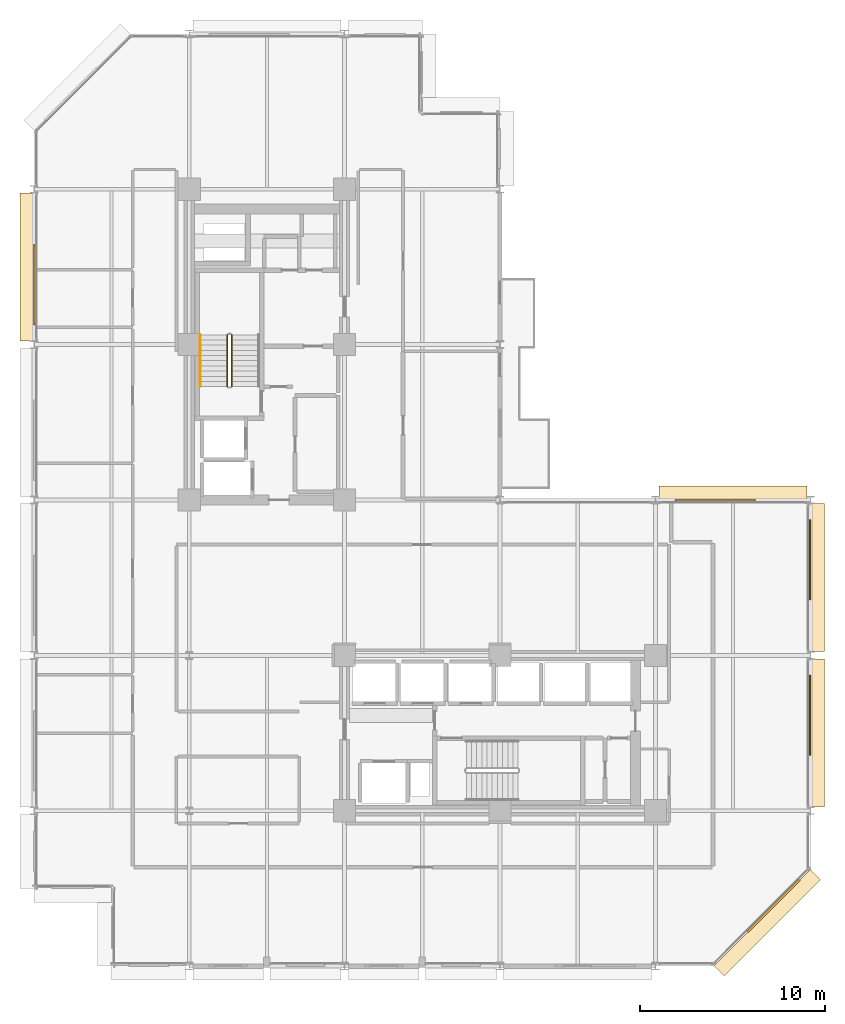
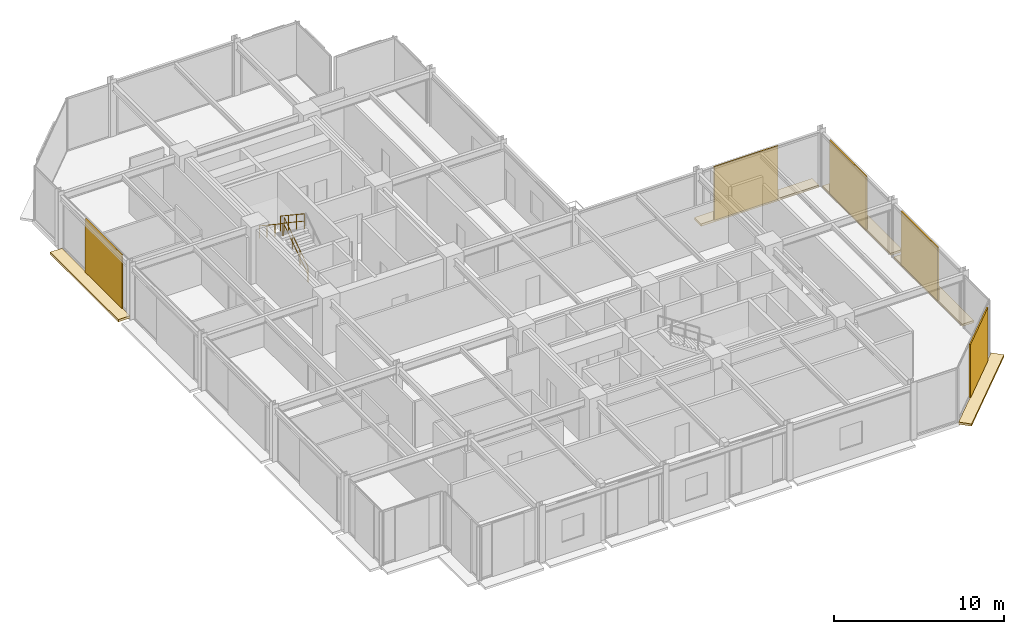
# One storey, part 29 of 30: 10 coverings, 3 railings.
"""IFC4 building model written with IfcOpenShell, lengths in metres."""

from ifc_helpers import new_model, si_unit, direction, frame, origin, origin_2d, place, context, subcontext, project, spatial, polyline, rectangle, circle, outline, extrude, material, layer, layer_set, type_object, element, save


model = new_model("IFC4")

# Units and contexts
model_context = context("Model", 3, precision=1e-05, world=origin(), true_north=direction((0.0, 1.0)))
body_context = subcontext(model_context, "Body", "Model", "MODEL_VIEW")
ifc_project = project(units=[si_unit("LENGTHUNIT", "METRE"), si_unit("AREAUNIT", "SQUARE_METRE"), si_unit("VOLUMEUNIT", "CUBIC_METRE"), si_unit("PLANEANGLEUNIT", "RADIAN"), si_unit("MASSUNIT", "GRAM", prefix="KILO")], contexts=[model_context])

# Site, building, storey
site_placement = place(None, origin())
site = spatial("IfcSite", under=ifc_project, at=site_placement, CompositionType="ELEMENT")
building_placement = place(site_placement, origin())
building = spatial("IfcBuilding", under=site, at=building_placement, Name="Nerrivon Quay Data Exchange", CompositionType="ELEMENT")
storey_placement = place(building_placement, frame((0.0, 0.0, 129.5)))
storey = spatial("IfcBuildingStorey", under=building, at=storey_placement, Name="L30", CompositionType="ELEMENT", Elevation=129.5)

# Coverings
ifc_material_1 = material(Name="Architectural terracotta ceramic", Category="masonry")
ifc_layer_1 = layer(ifc_material_1, 0.159912109375)
ifc_layer_set_1 = layer_set([ifc_layer_1], Name="Architectural terracotta ceramic")
covering_type_1 = type_object("IfcCoveringType", Name="COV-BLD-TERR", PredefinedType="CLADDING", material=ifc_layer_set_1)
covering_1_placement = place(storey_placement, frame((0.0, 0.0, -0.159912109375)))
element("IfcCovering", 1, at=covering_1_placement, inside=storey, type_object=covering_type_1, Name="L30 Horizontal Terracotta SOLAR SCREEN Blade", PredefinedType="CLADDING", context=body_context, shape_type="SweptSolid", body=[
    extrude(outline(polyline([(41.9716796875, 5.228271484375), (36.771728515625, 0.0283203125), (37.330322265625, -0.5302734375), (42.5302734375, 4.669677734375), (41.9716796875, 5.228271484375)])), origin(), (0.0, 0.0, 1.0), 0.159912109375),
])
covering_2_placement = place(storey_placement, frame((0.0, 0.0, -0.159912109375)))
element("IfcCovering", 2, at=covering_2_placement, inside=storey, type_object=covering_type_1, Name="L30 Horizontal Terracotta SOLAR SCREEN Blade", PredefinedType="CLADDING", context=body_context, shape_type="SweptSolid", body=[
    extrude(outline(polyline([(0.0400390625, 33.800048828125), (0.0400390625, 41.800048828125), (-0.75, 41.800048828125), (-0.75, 33.800048828125), (0.0400390625, 33.800048828125)])), origin(), (0.0, 0.0, 1.0), 0.159912109375),
])
covering_3_placement = place(storey_placement, frame((0.0, 0.0, -0.159912109375)))
element("IfcCovering", 3, at=covering_3_placement, inside=storey, type_object=covering_type_1, Name="L30 Horizontal Terracotta SOLAR SCREEN Blade", PredefinedType="CLADDING", context=body_context, shape_type="SweptSolid", body=[
    extrude(outline(polyline([(33.800048828125, 25.159912109375), (41.800048828125, 25.159912109375), (41.800048828125, 25.949951171875), (33.800048828125, 25.949951171875), (33.800048828125, 25.159912109375)])), origin(), (0.0, 0.0, 1.0), 0.159912109375),
])
covering_4_placement = place(storey_placement, frame((0.0, 0.0, -0.159912109375)))
element("IfcCovering", 4, at=covering_4_placement, inside=storey, type_object=covering_type_1, Name="L30 Horizontal Terracotta SOLAR SCREEN Blade", PredefinedType="CLADDING", context=body_context, shape_type="SweptSolid", body=[
    extrude(outline(polyline([(41.9599609375, 25.0), (41.9599609375, 17.0), (42.75, 17.0), (42.75, 25.0), (41.9599609375, 25.0)])), origin(), (0.0, 0.0, 1.0), 0.159912109375),
])
covering_5_placement = place(storey_placement, frame((0.0, 0.0, -0.159912109375)))
element("IfcCovering", 5, at=covering_5_placement, inside=storey, type_object=covering_type_1, Name="L30 Horizontal Terracotta SOLAR SCREEN Blade", PredefinedType="CLADDING", context=body_context, shape_type="SweptSolid", body=[
    extrude(outline(polyline([(41.9599609375, 16.60009765625), (41.9599609375, 8.60009765625), (42.75, 8.60009765625), (42.75, 16.60009765625), (41.9599609375, 16.60009765625)])), origin(), (0.0, 0.0, 1.0), 0.159912109375),
])
ifc_layer_2 = layer(ifc_material_1, 0.090087890625)
ifc_layer_set_2 = layer_set([ifc_layer_2], Name="Architectural terracotta ceramic")
covering_type_2 = type_object("IfcCoveringType", Name="COV-SCR-TERR", PredefinedType="CLADDING", material=ifc_layer_set_2)
covering_6_placement = place(storey_placement, frame((39.9921875, 3.255859375, 0.0), z_axis=(0.0, 0.0, 1.0), x_axis=(-0.707106781187, -0.707106781187, 0.0)))
element("IfcCovering", 6, at=covering_6_placement, inside=storey, type_object=covering_type_2, Name="L30 Perforated Terracotta SOLAR SCREEN Cassette", PredefinedType="CLADDING", context=body_context, shape_type="SweptSolid", body=[
    extrude(rectangle(XDim=3.970947265625, YDim=0.090087890625, at=origin_2d()), origin(), (0.0, 0.0, 1.0), 3.824951171875),
])
for number, where, z_axis, x_axis, name in (
    (7, (0.044921875, 36.840087890625, 0.0), (0.0, 0.0, 1.0), (0.0, 1.0, 0.0), "L30 Perforated Terracotta SOLAR SCREEN Cassette"),
    (8, (36.840087890625, 25.155029296875, 0.0), (0.0, 0.0, 1.0), (1.0, 0.0, 0.0), "L30 Perforated Terracotta SOLAR SCREEN Cassette"),
    (9, (41.955078125, 21.9599609375, 0.0), (0.0, 0.0, 1.0), (0.0, -1.0, 0.0), "L30 Perforated Terracotta SOLAR SCREEN Cassette"),
    (10, (41.955078125, 13.56005859375, 0.0), (0.0, 0.0, 1.0), (0.0, -1.0, 0.0), "L30 Perforated Terracotta SOLAR SCREEN Cassette"),
):
    element("IfcCovering", number, at=place(storey_placement, frame(where, z_axis=z_axis, x_axis=x_axis)), inside=storey, type_object=covering_type_2, Name=name, PredefinedType="CLADDING", context=body_context, shape_type="SweptSolid", body=[
        extrude(rectangle(XDim=4.320068359375, YDim=0.090087890625, at=origin_2d()), origin(), (0.0, 0.0, 1.0), 3.824951171875),
    ])

# Railings
ifc_material_2 = material(Name="Steel Grade C350L0 (350 MPa)", Category="steel")
railing_type_1 = type_object("IfcRailingType", Name="RAIL-HAND-HR1", PredefinedType="HANDRAIL", material=ifc_material_2)
railing_1_placement = place(storey_placement, frame((9.0, 34.1298828125, 2.236328125)))
element("IfcRailing", 11, at=railing_1_placement, inside=storey, type_object=railing_type_1, Name="L30 ST01 stair handrail 2", PredefinedType="HANDRAIL", context=body_context, shape_type="SweptSolid", body=[
    extrude(circle(Radius=0.02392578125, at=origin_2d()), frame((0.0, 0.0, 0.8759765625), z_axis=(0.0, -0.832429786209, 0.554130536094), x_axis=(1.0, 0.0, 0.0)), (0.0, 0.0, 1.0), 3.363525390625),
    extrude(circle(Radius=0.02099609375, at=origin_2d()), origin(), (0.0, 0.0, 1.0), 0.851806640625),
    extrude(circle(Radius=0.02099609375, at=origin_2d()), frame((0.0, -0.933349609375, 0.621337890625)), (0.0, 0.0, 1.0), 0.851806640625),
    extrude(circle(Radius=0.02099609375, at=origin_2d()), frame((0.0, -1.866455078125, 1.242431640625)), (0.0, 0.0, 1.0), 0.851806640625),
    extrude(circle(Radius=0.02099609375, at=origin_2d()), frame((0.0, -2.7998046875, 1.86376953125)), (0.0, 0.0, 1.0), 0.851806640625),
])
railing_type_2 = type_object("IfcRailingType", Name="RAIL-STAIR-GR1", PredefinedType="BALUSTRADE", material=ifc_material_2)
railing_2_placement = place(storey_placement, frame((10.699951171875, 31.330078125, 0.186279296875)))
element("IfcRailing", 12, at=railing_2_placement, inside=storey, type_object=railing_type_2, Name="L30 ST01 stair guard 1", PredefinedType="BALUSTRADE", context=body_context, shape_type="SweptSolid", body=[
    extrude(circle(Radius=0.02392578125, at=origin_2d()), frame((0.0, 0.0, 1.076171875), z_axis=(0.0, 0.832429786209, 0.554130536094), x_axis=(-1.0, 0.0, 0.0)), (0.0, 0.0, 1.0), 3.363525390625),
    extrude(circle(Radius=0.02392578125, at=origin_2d()), frame((0.0, 0.0, 0.550048828125), z_axis=(0.0, 0.832429786209, 0.554130536094), x_axis=(-1.0, 0.0, 0.0)), (0.0, 0.0, 1.0), 3.363525390625),
    extrude(circle(Radius=0.02099609375, at=origin_2d()), origin(), (0.0, 0.0, 1.0), 1.052001953125),
    extrude(circle(Radius=0.02099609375, at=origin_2d()), frame((0.0, 0.933349609375, 0.621337890625)), (0.0, 0.0, 1.0), 1.052001953125),
    extrude(circle(Radius=0.02099609375, at=origin_2d()), frame((0.0, 1.866455078125, 1.242431640625)), (0.0, 0.0, 1.0), 1.052001953125),
    extrude(circle(Radius=0.02099609375, at=origin_2d()), frame((0.0, 2.7998046875, 1.86376953125)), (0.0, 0.0, 1.0), 1.052001953125),
])
railing_3_placement = place(storey_placement, frame((10.449951171875, 34.1298828125, 2.236328125)))
element("IfcRailing", 13, at=railing_3_placement, inside=storey, type_object=railing_type_2, Name="L30 ST01 stair guard 3", PredefinedType="BALUSTRADE", context=body_context, shape_type="SweptSolid", body=[
    extrude(circle(Radius=0.02392578125, at=origin_2d()), frame((0.0, 0.0, 1.076171875), z_axis=(0.0, -0.832429786209, 0.554130536094), x_axis=(1.0, 0.0, 0.0)), (0.0, 0.0, 1.0), 3.363525390625),
    extrude(circle(Radius=0.02392578125, at=origin_2d()), frame((0.0, 0.0, 0.550048828125), z_axis=(0.0, -0.832429786209, 0.554130536094), x_axis=(1.0, 0.0, 0.0)), (0.0, 0.0, 1.0), 3.363525390625),
    extrude(circle(Radius=0.02099609375, at=origin_2d()), origin(), (0.0, 0.0, 1.0), 1.052001953125),
    extrude(circle(Radius=0.02099609375, at=origin_2d()), frame((0.0, -0.933349609375, 0.621337890625)), (0.0, 0.0, 1.0), 1.052001953125),
    extrude(circle(Radius=0.02099609375, at=origin_2d()), frame((0.0, -1.866455078125, 1.242431640625)), (0.0, 0.0, 1.0), 1.052001953125),
    extrude(circle(Radius=0.02099609375, at=origin_2d()), frame((0.0, -2.7998046875, 1.86376953125)), (0.0, 0.0, 1.0), 1.052001953125),
])

save(model, "model.ifc")
